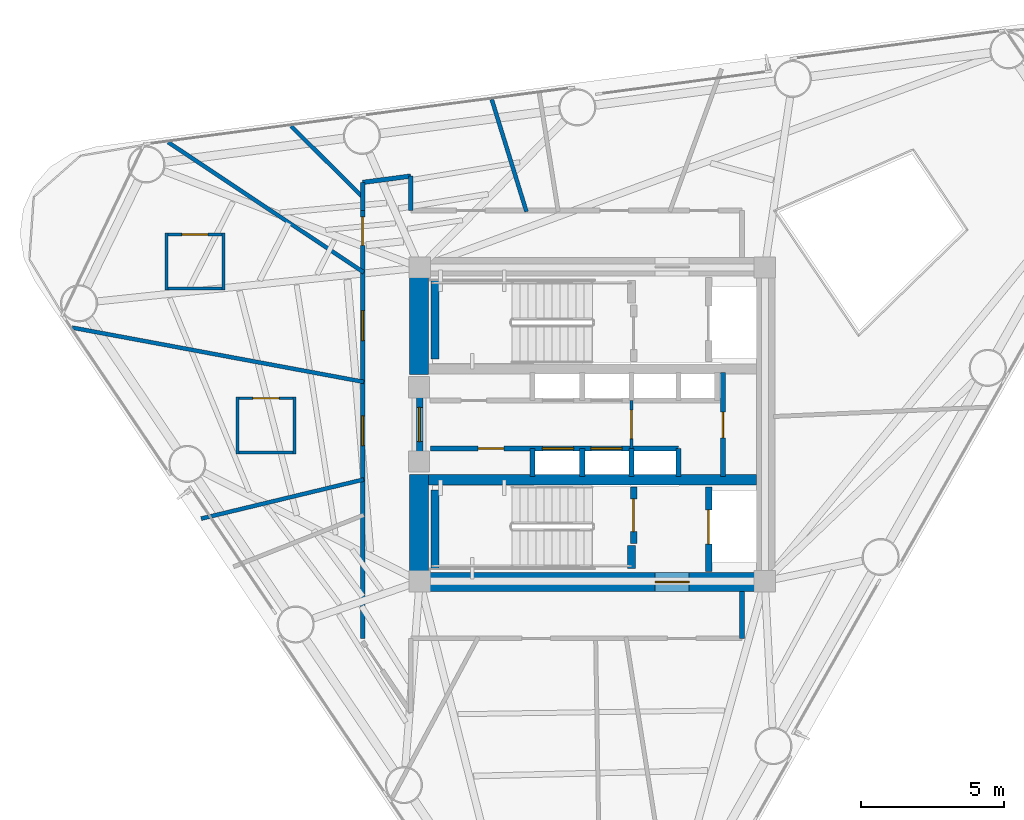
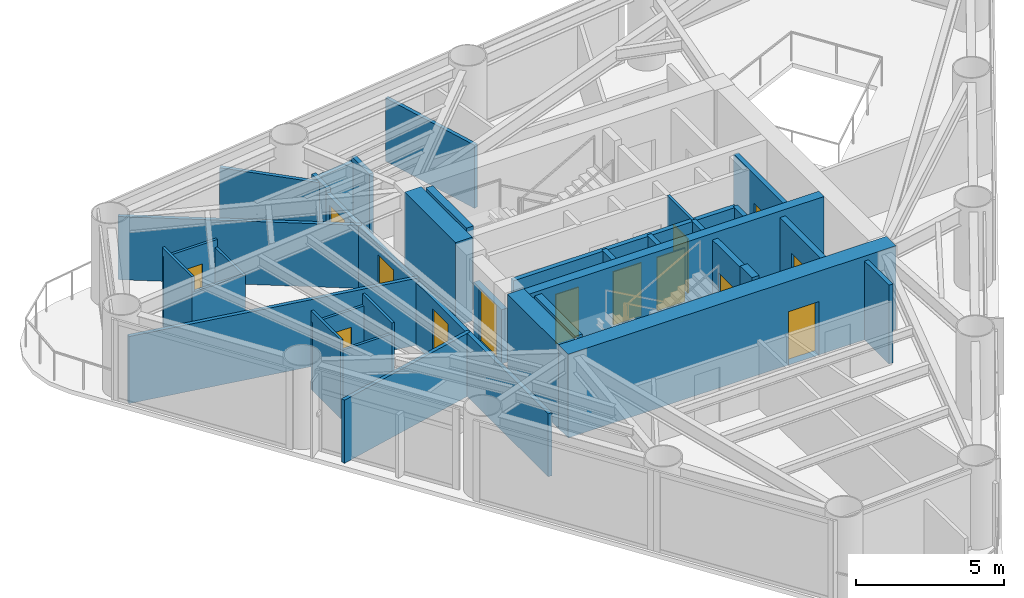
# One storey, part 5 of 9: 35 walls, 14 doors, 14 openings.
"""IFC4 building model written with IfcOpenShell, lengths in metres."""

from ifc_helpers import new_model, si_unit, direction, frame, frame_2d, origin, place, context, subcontext, project, spatial, rectangle, extrude, material, layer, layer_set, type_object, element, fill, save


model = new_model("IFC4")

# Units and contexts
model_context = context("Model", 3, precision=1e-05, world=origin(), true_north=direction((0.0, 1.0)))
body_context = subcontext(model_context, "Body", "Model", "MODEL_VIEW")
ifc_project = project(units=[si_unit("LENGTHUNIT", "METRE"), si_unit("AREAUNIT", "SQUARE_METRE"), si_unit("VOLUMEUNIT", "CUBIC_METRE"), si_unit("PLANEANGLEUNIT", "RADIAN"), si_unit("MASSUNIT", "GRAM", prefix="KILO")], contexts=[model_context])

# Site, building, storey
site_placement = place(None, origin())
site = spatial("IfcSite", under=ifc_project, at=site_placement, CompositionType="ELEMENT")
building_placement = place(site_placement, origin())
building = spatial("IfcBuilding", under=site, at=building_placement, Name="Yunling Apex Tower", CompositionType="ELEMENT")
storey_placement = place(building_placement, frame((0.0, 0.0, 165.64990234375)))
storey = spatial("IfcBuildingStorey", under=building, at=storey_placement, Name="L40", CompositionType="ELEMENT", Elevation=165.64990234375)

# Wall, opening, door
ifc_material_1 = material(Name="Concrete C50", Category="concrete")
ifc_layer_1 = layer(ifc_material_1, 0.64990234375)
ifc_layer_set_1 = layer_set([ifc_layer_1], Name="Concrete C50")
wall_type_1 = type_object("IfcWallType", Name="WL-COR-2", PredefinedType="SHEAR", material=ifc_layer_set_1)
wall_1_placement = place(storey_placement, frame((-6.39990234375, -5.52490234375, 0.0), z_axis=(0.0, 0.0, 1.0), x_axis=(1.0, 0.0, 0.0)))
wall_1 = element("IfcWall", 1, at=wall_1_placement, inside=storey, type_object=wall_type_1, Name="L40 South Core Shear Wall", PredefinedType="SHEAR", context=body_context, shape_type="SweptSolid", body=[
    extrude(rectangle(XDim=12.7998046875, YDim=0.64990234375, at=frame_2d((6.39990234375, 0.0))), origin(), (0.0, 0.0, 1.0), 3.4501953125),
])
opening_1_placement = place(wall_1_placement, frame((8.60009765625, 0.0, 0.0)))
opening_1 = element("IfcOpeningElement", 2, at=opening_1_placement, cuts=wall_1, Name="Opening DR-FFL-1", PredefinedType="OPENING", context=body_context, shape_type="SweptSolid", body=[
    extrude(rectangle(XDim=1.199951171875, YDim=2.199951171875, at=frame_2d((0.60009765625, 1.10009765625))), frame((0.0, 0.3349609375, 0.0), z_axis=(0.0, -1.0, 0.0), x_axis=(1.0, 0.0, 0.0)), (0.0, 0.0, 1.0), 0.669921875),
])
ifc_material_2 = material(Name="Steel Q355B", Category="steel")
door_type_1 = type_object("IfcDoorType", Name="DR-FFL-1", OperationType="NOTDEFINED", PredefinedType="DOOR", material=ifc_material_2)
door_1_placement = place(opening_1_placement, origin())
door_1 = element("IfcDoor", 3, at=door_1_placement, inside=storey, type_object=door_type_1, Name="L40 South Firefighting Lobby Door", OperationType="SINGLE_SWING_RIGHT", OverallHeight=2.199951171875, OverallWidth=1.199951171875, PredefinedType="DOOR", context=body_context, shape_type="SweptSolid", body=[
    extrude(rectangle(XDim=1.199951171875, YDim=2.199951171875, at=frame_2d((0.60009765625, 1.10009765625))), frame((0.0, 0.02490234375, 0.0), z_axis=(0.0, -1.0, 0.0), x_axis=(1.0, 0.0, 0.0)), (0.0, 0.0, 1.0), 0.050048828125),
])
fill(opening_1, door_1)

# Walls
for number, where, z_axis, x_axis, name in (
    (4, (-6.074951171875, -5.199951171875, 0.0), (0.0, 0.0, 1.0), (0.0, 1.0, 0.0), "L40 West-South Core Shear Wall"),
    (5, (-6.074951171875, 1.75, 0.0), (0.0, 0.0, 1.0), (0.0, 1.0, 0.0), "L40 West-North Core Shear Wall"),
):
    element("IfcWall", number, at=place(storey_placement, frame(where, z_axis=z_axis, x_axis=x_axis)), inside=storey, type_object=wall_type_1, Name=name, PredefinedType="SHEAR", context=body_context, shape_type="SweptSolid", body=[
        extrude(rectangle(XDim=3.449951171875, YDim=0.64990234375, at=frame_2d((1.72509765625, 0.0))), origin(), (0.0, 0.0, 1.0), 3.4501953125),
    ])
ifc_material_3 = material(Name="Concrete C40", Category="concrete")
ifc_layer_2 = layer(ifc_material_3, 0.360107421875)
ifc_layer_set_2 = layer_set([ifc_layer_2], Name="Concrete C40")
wall_type_2 = type_object("IfcWallType", Name="WL-COR-4", PredefinedType="SHEAR", material=ifc_layer_set_2)
wall_2_placement = place(storey_placement, frame((-5.75, -1.93994140625, 0.0), z_axis=(0.0, 0.0, 1.0), x_axis=(1.0, 0.0, 0.0)))
element("IfcWall", 6, at=wall_2_placement, inside=storey, type_object=wall_type_2, Name="L40 South Internal Core Shear Wall", PredefinedType="SHEAR", context=body_context, shape_type="SweptSolid", body=[
    extrude(rectangle(XDim=11.5, YDim=0.360107421875, at=frame_2d((5.75, 0.0))), origin(), (0.0, 0.0, 1.0), 3.4501953125),
])
ifc_layer_3 = layer(ifc_material_3, 0.280029296875)
ifc_layer_set_3 = layer_set([ifc_layer_3], Name="Concrete C40")
wall_type_3 = type_object("IfcWallType", Name="WL-COR-8", PredefinedType="SHEAR", material=ifc_layer_set_3)
for number, where, z_axis, x_axis, name in (
    (7, (-5.52001953125, 2.300048828125, 0.0), (0.0, 0.0, 1.0), (0.0, 1.0, 0.0), "L40 ST-1 West Landing Bearing Wall"),
    (8, (-5.52001953125, -5.050048828125, 0.0), (0.0, 0.0, 1.0), (0.0, 1.0, 0.0), "L40 ST-2 West Landing Bearing Wall"),
):
    element("IfcWall", number, at=place(storey_placement, frame(where, z_axis=z_axis, x_axis=x_axis)), inside=storey, type_object=wall_type_3, Name=name, PredefinedType="SHEAR", context=body_context, shape_type="SweptSolid", body=[
        extrude(rectangle(XDim=2.75, YDim=0.280029296875, at=frame_2d((1.375, 0.0))), origin(), (0.0, 0.0, 1.0), 3.4501953125),
    ])
wall_3_placement = place(storey_placement, frame((1.3798828125, -5.050048828125, 0.0), z_axis=(0.0, 0.0, 1.0), x_axis=(0.0, 1.0, 0.0)))
element("IfcWall", 9, at=wall_3_placement, inside=storey, type_object=wall_type_3, Name="L40 ST-2 East Landing Bearing Pier", PredefinedType="SHEAR", context=body_context, shape_type="SweptSolid", body=[
    extrude(rectangle(XDim=0.800048828125, YDim=0.280029296875, at=frame_2d((0.39990234375, 0.0))), origin(), (0.0, 0.0, 1.0), 3.4501953125),
])

# Wall, openings, doors
ifc_material_4 = material(Name="Gypsum board acoustic partition")
ifc_layer_4 = layer(ifc_material_4, 0.159912109375)
ifc_layer_set_4 = layer_set([ifc_layer_4], Name="Gypsum board acoustic partition")
wall_type_4 = type_object("IfcWallType", Name="WL-PRT-1", PredefinedType="PARTITIONING", material=ifc_layer_set_4)
wall_4_placement = place(storey_placement, frame((-8.050048828125, -7.5, 0.0), z_axis=(0.0, 0.0, 1.0), x_axis=(0.0, 1.0, 0.0)))
wall_4 = element("IfcWall", 10, at=wall_4_placement, inside=storey, type_object=wall_type_4, Name="WL-CORR-L40-02", PredefinedType="PARTITIONING", context=body_context, shape_type="SweptSolid", body=[
    extrude(rectangle(XDim=15.0, YDim=0.159912109375, at=frame_2d((7.5, 0.0))), origin(), (0.0, 0.0, 1.0), 2.60498046875),
])
opening_2_placement = place(wall_4_placement, frame((6.7529296875, 0.0, 0.0)))
opening_2 = element("IfcOpeningElement", 11, at=opening_2_placement, cuts=wall_4, Name="Opening DR-FL-1", PredefinedType="OPENING", context=body_context, shape_type="SweptSolid", body=[
    extrude(rectangle(XDim=1.050048828125, YDim=2.199951171875, at=frame_2d((0.52490234375, 1.10009765625))), frame((0.0, 0.08984375, 0.0), z_axis=(0.0, -1.0, 0.0), x_axis=(1.0, 0.0, 0.0)), (0.0, 0.0, 1.0), 0.179931640625),
])
opening_3_placement = place(wall_4_placement, frame((10.436279296875, 0.0, 0.0)))
opening_3 = element("IfcOpeningElement", 12, at=opening_3_placement, cuts=wall_4, Name="Opening DR-FL-1", PredefinedType="OPENING", context=body_context, shape_type="SweptSolid", body=[
    extrude(rectangle(XDim=1.050048828125, YDim=2.199951171875, at=frame_2d((0.52490234375, 1.10009765625))), frame((0.0, 0.08984375, 0.0), z_axis=(0.0, -1.0, 0.0), x_axis=(1.0, 0.0, 0.0)), (0.0, 0.0, 1.0), 0.179931640625),
])
opening_4_placement = place(wall_4_placement, frame((13.780029296875, 0.0, 0.0)))
opening_4 = element("IfcOpeningElement", 13, at=opening_4_placement, cuts=wall_4, Name="Opening DR-OFF-1", PredefinedType="OPENING", context=body_context, shape_type="SweptSolid", body=[
    extrude(rectangle(XDim=1.0, YDim=2.25, at=frame_2d((0.5, 1.125))), frame((0.0, 0.08984375, 0.0), z_axis=(0.0, -1.0, 0.0), x_axis=(1.0, 0.0, 0.0)), (0.0, 0.0, 1.0), 0.179931640625),
])
ifc_material_5 = material(Name="Timber fire-rated leaf", Category="wood")
door_type_2 = type_object("IfcDoorType", Name="DR-FL-1", OperationType="NOTDEFINED", PredefinedType="DOOR", material=ifc_material_5)
door_2_placement = place(opening_2_placement, origin())
door_2 = element("IfcDoor", 14, at=door_2_placement, inside=storey, type_object=door_type_2, Name="L40 Hotel Guest Room Door", OperationType="SINGLE_SWING_LEFT", OverallHeight=2.199951171875, OverallWidth=1.050048828125, PredefinedType="DOOR", context=body_context, shape_type="SweptSolid", body=[
    extrude(rectangle(XDim=1.050048828125, YDim=2.199951171875, at=frame_2d((0.52490234375, 1.10009765625))), frame((0.0, 0.02490234375, 0.0), z_axis=(0.0, -1.0, 0.0), x_axis=(1.0, 0.0, 0.0)), (0.0, 0.0, 1.0), 0.050048828125),
])
fill(opening_2, door_2)
door_3_placement = place(opening_3_placement, origin())
door_3 = element("IfcDoor", 15, at=door_3_placement, inside=storey, type_object=door_type_2, Name="L40 Hotel Suite Door", OperationType="SINGLE_SWING_RIGHT", OverallHeight=2.199951171875, OverallWidth=1.050048828125, PredefinedType="DOOR", context=body_context, shape_type="SweptSolid", body=[
    extrude(rectangle(XDim=1.050048828125, YDim=2.199951171875, at=frame_2d((0.52490234375, 1.10009765625))), frame((0.0, 0.02490234375, 0.0), z_axis=(0.0, -1.0, 0.0), x_axis=(1.0, 0.0, 0.0)), (0.0, 0.0, 1.0), 0.050048828125),
])
fill(opening_3, door_3)
ifc_material_6 = material(Name="Bronze anodised aluminium", Category="aluminium")
door_type_3 = type_object("IfcDoorType", Name="DR-OFF-1", OperationType="NOTDEFINED", PredefinedType="DOOR", material=ifc_material_6)
door_4_placement = place(opening_4_placement, origin())
door_4 = element("IfcDoor", 16, at=door_4_placement, inside=storey, type_object=door_type_3, Name="L40 Club Lounge Door", OperationType="SINGLE_SWING_LEFT", OverallHeight=2.25, OverallWidth=1.0, PredefinedType="DOOR", context=body_context, shape_type="SweptSolid", body=[
    extrude(rectangle(XDim=1.0, YDim=2.25, at=frame_2d((0.5, 1.125))), frame((0.0, 0.02490234375, 0.0), z_axis=(0.0, -1.0, 0.0), x_axis=(1.0, 0.0, 0.0)), (0.0, 0.0, 1.0), 0.050048828125),
])
fill(opening_4, door_4)

# Walls
wall_5_placement = place(storey_placement, frame((-8.050048828125, 7.5, 0.0), z_axis=(0.0, 0.0, 1.0), x_axis=(0.0, 1.0, 0.0)))
element("IfcWall", 17, at=wall_5_placement, inside=storey, type_object=wall_type_4, Name="WL-CORR-L40-03", PredefinedType="PARTITIONING", context=body_context, shape_type="SweptSolid", body=[
    extrude(rectangle(XDim=0.983642578125, YDim=0.159912109375, at=frame_2d((0.49169921875, 0.0))), origin(), (0.0, 0.0, 1.0), 2.80517578125),
])
wall_6_placement = place(storey_placement, frame((-8.050048828125, 8.483642578125, 0.0), z_axis=(0.0, 0.0, 1.0), x_axis=(0.991338869543, 0.131328769629, 0.0)))
element("IfcWall", 18, at=wall_6_placement, inside=storey, type_object=wall_type_4, Name="WL-CORR-L40-04", PredefinedType="PARTITIONING", context=body_context, shape_type="SweptSolid", body=[
    extrude(rectangle(XDim=1.70458984375, YDim=0.159912109375, at=frame_2d((0.852294921875, 0.0))), origin(), (0.0, 0.0, 1.0), 2.60498046875),
])
wall_7_placement = place(storey_placement, frame((-6.360107421875, 8.70751953125, 0.0), z_axis=(0.0, 0.0, 1.0), x_axis=(0.0, -1.0, 0.0)))
element("IfcWall", 19, at=wall_7_placement, inside=storey, type_object=wall_type_4, Name="WL-CORR-L40-05", PredefinedType="PARTITIONING", context=body_context, shape_type="SweptSolid", body=[
    extrude(rectangle(XDim=1.20751953125, YDim=0.159912109375, at=frame_2d((0.603759765625, 0.0))), origin(), (0.0, 0.0, 1.0), 2.80517578125),
])
wall_8_placement = place(storey_placement, frame((5.25, -5.85009765625, 0.0), z_axis=(0.0, 0.0, 1.0), x_axis=(0.0, -1.0, 0.0)))
element("IfcWall", 20, at=wall_8_placement, inside=storey, type_object=wall_type_4, Name="WL-CORR-L40-08", PredefinedType="PARTITIONING", context=body_context, shape_type="SweptSolid", body=[
    extrude(rectangle(XDim=1.64990234375, YDim=0.159912109375, at=frame_2d((0.824951171875, 0.0))), origin(), (0.0, 0.0, 1.0), 3.25),
])
ifc_layer_5 = layer(ifc_material_4, 0.139892578125)
ifc_layer_set_5 = layer_set([ifc_layer_5], Name="Gypsum board acoustic partition")
wall_type_5 = type_object("IfcWallType", Name="WL-PRT-2", PredefinedType="PARTITIONING", material=ifc_layer_set_5)
wall_9_placement = place(storey_placement, frame((-2.306640625, 7.4599609375, 0.0), z_axis=(0.0, 0.0, 1.0), x_axis=(-0.295406664686, 0.955371604382, 0.0)))
element("IfcWall", 21, at=wall_9_placement, inside=storey, type_object=wall_type_5, Name="WL-RAD-L40-04", PredefinedType="PARTITIONING", context=body_context, shape_type="SweptSolid", body=[
    extrude(rectangle(XDim=4.11669921875, YDim=0.139892578125, at=frame_2d((2.058349609375, 0.0))), origin(), (0.0, 0.0, 1.0), 2.60498046875),
])
wall_10_placement = place(storey_placement, frame((-8.010009765625, 7.93408203125, 0.0), z_axis=(0.0, 0.0, 1.0), x_axis=(-0.710464129117, 0.703733416315, 0.0)))
element("IfcWall", 22, at=wall_10_placement, inside=storey, type_object=wall_type_5, Name="WL-RAD-L40-05", PredefinedType="PARTITIONING", context=body_context, shape_type="SweptSolid", body=[
    extrude(rectangle(XDim=3.591064453125, YDim=0.139892578125, at=frame_2d((1.79541015625, 0.0))), origin(), (0.0, 0.0, 1.0), 2.76513671875),
])
wall_11_placement = place(storey_placement, frame((-8.010009765625, 5.3291015625, 0.0), z_axis=(0.0, 0.0, 1.0), x_axis=(-0.832565256492, 0.553926975044, 0.0)))
element("IfcWall", 23, at=wall_11_placement, inside=storey, type_object=wall_type_5, Name="WL-RAD-L40-06", PredefinedType="PARTITIONING", context=body_context, shape_type="SweptSolid", body=[
    extrude(rectangle(XDim=8.236083984375, YDim=0.139892578125, at=frame_2d((4.1181640625, 0.0))), origin(), (0.0, 0.0, 1.0), 2.60498046875),
])
wall_12_placement = place(storey_placement, frame((-8.010009765625, 1.4912109375, 0.0), z_axis=(0.0, 0.0, 1.0), x_axis=(-0.983113838534, 0.182995028575, 0.0)))
element("IfcWall", 24, at=wall_12_placement, inside=storey, type_object=wall_type_5, Name="WL-RAD-L40-07", PredefinedType="PARTITIONING", context=body_context, shape_type="SweptSolid", body=[
    extrude(rectangle(XDim=10.394287109375, YDim=0.139892578125, at=frame_2d((5.197265625, 0.0))), origin(), (0.0, 0.0, 1.0), 2.76513671875),
])
wall_13_placement = place(storey_placement, frame((-8.010009765625, -1.9296875, 0.0), z_axis=(0.0, 0.0, 1.0), x_axis=(-0.972178712373, -0.23424037058, 0.0)))
element("IfcWall", 25, at=wall_13_placement, inside=storey, type_object=wall_type_5, Name="WL-RAD-L40-08", PredefinedType="PARTITIONING", context=body_context, shape_type="SweptSolid", body=[
    extrude(rectangle(XDim=5.86474609375, YDim=0.139892578125, at=frame_2d((2.932373046875, 0.0))), origin(), (0.0, 0.0, 1.0), 2.60498046875),
])

# Wall, opening, door
ifc_layer_6 = layer(ifc_material_4, 0.10009765625)
ifc_layer_set_6 = layer_set([ifc_layer_6], Name="Gypsum board acoustic partition")
wall_type_6 = type_object("IfcWallType", Name="WL-PRT-4", PredefinedType="PARTITIONING", material=ifc_layer_set_6)
wall_14_placement = place(storey_placement, frame((1.3798828125, -0.840087890625, 0.0), z_axis=(0.0, 0.0, 1.0), x_axis=(0.0, 1.0, 0.0)))
wall_14 = element("IfcWall", 26, at=wall_14_placement, inside=storey, type_object=wall_type_6, Name="WL-LOB-MID-L40", PredefinedType="PARTITIONING", context=body_context, shape_type="SweptSolid", body=[
    extrude(rectangle(XDim=1.68017578125, YDim=0.10009765625, at=frame_2d((0.840087890625, 0.0))), origin(), (0.0, 0.0, 1.0), 3.25),
])
opening_5_placement = place(wall_14_placement, frame((0.340087890625, 0.0, 0.0)))
opening_5 = element("IfcOpeningElement", 27, at=opening_5_placement, cuts=wall_14, Name="Opening DR-OFF-1", PredefinedType="OPENING", context=body_context, shape_type="SweptSolid", body=[
    extrude(rectangle(XDim=1.0, YDim=2.25, at=frame_2d((0.5, 1.125))), frame((0.0, 0.06005859375, 0.0), z_axis=(0.0, -1.0, 0.0), x_axis=(1.0, 0.0, 0.0)), (0.0, 0.0, 1.0), 0.1201171875),
])
door_5_placement = place(opening_5_placement, origin())
door_5 = element("IfcDoor", 28, at=door_5_placement, inside=storey, type_object=door_type_3, Name="L40 Core Lobby Link Door", OperationType="SINGLE_SWING_RIGHT", OverallHeight=2.25, OverallWidth=1.0, PredefinedType="DOOR", context=body_context, shape_type="SweptSolid", body=[
    extrude(rectangle(XDim=1.0, YDim=2.25, at=frame_2d((0.5, 1.125))), frame((0.0, 0.02490234375, 0.0), z_axis=(0.0, -1.0, 0.0), x_axis=(1.0, 0.0, 0.0)), (0.0, 0.0, 1.0), 0.050048828125),
])
fill(opening_5, door_5)

wall_15_placement = place(storey_placement, frame((-14.98193359375, 6.6640625, 0.0), z_axis=(0.0, 0.0, 1.0), x_axis=(1.0, 0.0, 0.0)))
wall_15 = element("IfcWall", 29, at=wall_15_placement, inside=storey, type_object=wall_type_6, Name="WL-ENS-L40-11N", PredefinedType="PARTITIONING", context=body_context, shape_type="SweptSolid", body=[
    extrude(rectangle(XDim=2.099853515625, YDim=0.10009765625, at=frame_2d((1.0498046875, 0.0))), origin(), (0.0, 0.0, 1.0), 2.905029296875),
])
opening_6_placement = place(wall_15_placement, frame((0.590087890625, 0.0, 0.0)))
opening_6 = element("IfcOpeningElement", 30, at=opening_6_placement, cuts=wall_15, Name="Opening DR-WC-1", PredefinedType="OPENING", context=body_context, shape_type="SweptSolid", body=[
    extrude(rectangle(XDim=0.919921875, YDim=2.10009765625, at=frame_2d((0.4599609375, 1.050048828125))), frame((0.0, 0.06005859375, 0.0), z_axis=(0.0, -1.0, 0.0), x_axis=(1.0, 0.0, 0.0)), (0.0, 0.0, 1.0), 0.1201171875),
])
ifc_material_7 = material(Name="Timber moisture-resistant leaf", Category="wood")
door_type_4 = type_object("IfcDoorType", Name="DR-WC-1", OperationType="NOTDEFINED", PredefinedType="DOOR", material=ifc_material_7)
door_6_placement = place(opening_6_placement, origin())
door_6 = element("IfcDoor", 31, at=door_6_placement, inside=storey, type_object=door_type_4, Name="L40 En-Suite Door", OperationType="SINGLE_SWING_RIGHT", OverallHeight=2.10009765625, OverallWidth=0.919921875, PredefinedType="DOOR", context=body_context, shape_type="SweptSolid", body=[
    extrude(rectangle(XDim=0.919921875, YDim=2.10009765625, at=frame_2d((0.4599609375, 1.050048828125))), frame((0.0, 0.02490234375, 0.0), z_axis=(0.0, -1.0, 0.0), x_axis=(1.0, 0.0, 0.0)), (0.0, 0.0, 1.0), 0.050048828125),
])
fill(opening_6, door_6)

# Walls
wall_16_placement = place(storey_placement, frame((-12.882080078125, 4.763916015625, 0.0), z_axis=(0.0, 0.0, 1.0), x_axis=(-1.0, 0.0, 0.0)))
element("IfcWall", 32, at=wall_16_placement, inside=storey, type_object=wall_type_6, Name="WL-ENS-L40-11S", PredefinedType="PARTITIONING", context=body_context, shape_type="SweptSolid", body=[
    extrude(rectangle(XDim=2.099853515625, YDim=0.10009765625, at=frame_2d((1.0498046875, 0.0))), origin(), (0.0, 0.0, 1.0), 2.60498046875),
])
wall_17_placement = place(storey_placement, frame((-12.931884765625, 6.714111328125, 0.0), z_axis=(0.0, 0.0, 1.0), x_axis=(0.0, -1.0, 0.0)))
element("IfcWall", 33, at=wall_17_placement, inside=storey, type_object=wall_type_6, Name="WL-ENS-L40-11E", PredefinedType="PARTITIONING", context=body_context, shape_type="SweptSolid", body=[
    extrude(rectangle(XDim=2.0, YDim=0.10009765625, at=frame_2d((1.0, 0.0))), origin(), (0.0, 0.0, 1.0), 2.60498046875),
])
wall_18_placement = place(storey_placement, frame((-14.931884765625, 4.714111328125, 0.0), z_axis=(0.0, 0.0, 1.0), x_axis=(0.0, 1.0, 0.0)))
element("IfcWall", 34, at=wall_18_placement, inside=storey, type_object=wall_type_6, Name="WL-ENS-L40-11W", PredefinedType="PARTITIONING", context=body_context, shape_type="SweptSolid", body=[
    extrude(rectangle(XDim=2.0, YDim=0.10009765625, at=frame_2d((1.0, 0.0))), origin(), (0.0, 0.0, 1.0), 3.25),
])

# Wall, opening, door
wall_19_placement = place(storey_placement, frame((-12.491943359375, 0.91796875, 0.0), z_axis=(0.0, 0.0, 1.0), x_axis=(1.0, 0.0, 0.0)))
wall_19 = element("IfcWall", 35, at=wall_19_placement, inside=storey, type_object=wall_type_6, Name="WL-ENS-L40-12N", PredefinedType="PARTITIONING", context=body_context, shape_type="SweptSolid", body=[
    extrude(rectangle(XDim=2.099853515625, YDim=0.10009765625, at=frame_2d((1.0498046875, 0.0))), origin(), (0.0, 0.0, 1.0), 2.80517578125),
])
opening_7_placement = place(wall_19_placement, frame((0.590087890625, 0.0, 0.0)))
opening_7 = element("IfcOpeningElement", 36, at=opening_7_placement, cuts=wall_19, Name="Opening DR-WC-1", PredefinedType="OPENING", context=body_context, shape_type="SweptSolid", body=[
    extrude(rectangle(XDim=0.919921875, YDim=2.10009765625, at=frame_2d((0.4599609375, 1.050048828125))), frame((0.0, 0.06005859375, 0.0), z_axis=(0.0, -1.0, 0.0), x_axis=(1.0, 0.0, 0.0)), (0.0, 0.0, 1.0), 0.1201171875),
])
door_7_placement = place(opening_7_placement, origin())
door_7 = element("IfcDoor", 37, at=door_7_placement, inside=storey, type_object=door_type_4, Name="L40 En-Suite Door", OperationType="SINGLE_SWING_LEFT", OverallHeight=2.10009765625, OverallWidth=0.919921875, PredefinedType="DOOR", context=body_context, shape_type="SweptSolid", body=[
    extrude(rectangle(XDim=0.919921875, YDim=2.10009765625, at=frame_2d((0.4599609375, 1.050048828125))), frame((0.0, 0.02490234375, 0.0), z_axis=(0.0, -1.0, 0.0), x_axis=(1.0, 0.0, 0.0)), (0.0, 0.0, 1.0), 0.050048828125),
])
fill(opening_7, door_7)

# Walls
wall_20_placement = place(storey_placement, frame((-10.39208984375, -0.98193359375, 0.0), z_axis=(0.0, 0.0, 1.0), x_axis=(-1.0, 0.0, 0.0)))
element("IfcWall", 38, at=wall_20_placement, inside=storey, type_object=wall_type_6, Name="WL-ENS-L40-12S", PredefinedType="PARTITIONING", context=body_context, shape_type="SweptSolid", body=[
    extrude(rectangle(XDim=2.099853515625, YDim=0.10009765625, at=frame_2d((1.0498046875, 0.0))), origin(), (0.0, 0.0, 1.0), 2.80517578125),
])
for number, where, z_axis, x_axis, name in (
    (39, (-10.44189453125, 0.968017578125, 0.0), (0.0, 0.0, 1.0), (0.0, -1.0, 0.0), "WL-ENS-L40-12E"),
    (40, (-12.44189453125, -1.031982421875, 0.0), (0.0, 0.0, 1.0), (0.0, 1.0, 0.0), "WL-ENS-L40-12W"),
):
    element("IfcWall", number, at=place(storey_placement, frame(where, z_axis=z_axis, x_axis=x_axis)), inside=storey, type_object=wall_type_6, Name=name, PredefinedType="PARTITIONING", context=body_context, shape_type="SweptSolid", body=[
        extrude(rectangle(XDim=2.0, YDim=0.10009765625, at=frame_2d((1.0, 0.0))), origin(), (0.0, 0.0, 1.0), 3.25),
    ])

# Wall, opening, door
ifc_material_8 = material(Name="Autoclaved aerated concrete masonry", Category="masonry")
ifc_layer_7 = layer(ifc_material_8, 0.219970703125)
ifc_layer_set_7 = layer_set([ifc_layer_7], Name="Autoclaved aerated concrete masonry")
wall_type_7 = type_object("IfcWallType", Name="WL-SHF-1", PredefinedType="PLUMBINGWALL", material=ifc_layer_set_7)
wall_21_placement = place(storey_placement, frame((-6.050048828125, -0.949951171875, 0.0), z_axis=(0.0, 0.0, 1.0), x_axis=(0.0, 1.0, 0.0)))
wall_21 = element("IfcWall", 41, at=wall_21_placement, inside=storey, type_object=wall_type_7, Name="WL-COR-WPORT-L40", PredefinedType="PLUMBINGWALL", context=body_context, shape_type="SweptSolid", body=[
    extrude(rectangle(XDim=1.89990234375, YDim=0.219970703125, at=frame_2d((0.949951171875, 0.0))), origin(), (0.0, 0.0, 1.0), 2.22998046875),
])
opening_8_placement = place(wall_21_placement, frame((0.35009765625, 0.0, 0.0)))
opening_8 = element("IfcOpeningElement", 42, at=opening_8_placement, cuts=wall_21, Name="Opening DR-FFL-1", PredefinedType="OPENING", context=body_context, shape_type="SweptSolid", body=[
    extrude(rectangle(XDim=1.199951171875, YDim=2.199951171875, at=frame_2d((0.60009765625, 1.10009765625))), frame((0.0, 0.1201171875, 0.0), z_axis=(0.0, -1.0, 0.0), x_axis=(1.0, 0.0, 0.0)), (0.0, 0.0, 1.0), 0.239990234375),
])
door_8_placement = place(opening_8_placement, origin())
door_8 = element("IfcDoor", 43, at=door_8_placement, inside=storey, type_object=door_type_1, Name="L40 Passenger Lift Lobby Entrance Door", OperationType="SINGLE_SWING_RIGHT", OverallHeight=2.199951171875, OverallWidth=1.199951171875, PredefinedType="DOOR", context=body_context, shape_type="SweptSolid", body=[
    extrude(rectangle(XDim=1.199951171875, YDim=2.199951171875, at=frame_2d((0.60009765625, 1.10009765625))), frame((0.0, 0.02490234375, 0.0), z_axis=(0.0, -1.0, 0.0), x_axis=(1.0, 0.0, 0.0)), (0.0, 0.0, 1.0), 0.050048828125),
])
fill(opening_8, door_8)

wall_22_placement = place(storey_placement, frame((1.449951171875, -4.179931640625, 0.0), z_axis=(0.0, 0.0, 1.0), x_axis=(0.0, 1.0, 0.0)))
wall_22 = element("IfcWall", 44, at=wall_22_placement, inside=storey, type_object=wall_type_7, Name="WL-ST2-E-L40", PredefinedType="PLUMBINGWALL", context=body_context, shape_type="SweptSolid", body=[
    extrude(rectangle(XDim=1.97998046875, YDim=0.219970703125, at=frame_2d((0.989990234375, 0.0))), origin(), (0.0, 0.0, 1.0), 3.25),
])
opening_9_placement = place(wall_22_placement, frame((0.419921875, 0.0, 0.0)))
opening_9 = element("IfcOpeningElement", 45, at=opening_9_placement, cuts=wall_22, Name="Opening DR-ST-1", PredefinedType="OPENING", context=body_context, shape_type="SweptSolid", body=[
    extrude(rectangle(XDim=1.14990234375, YDim=2.14990234375, at=frame_2d((0.574951171875, 1.074951171875))), frame((0.0, 0.1201171875, 0.0), z_axis=(0.0, -1.0, 0.0), x_axis=(1.0, 0.0, 0.0)), (0.0, 0.0, 1.0), 0.239990234375),
])
door_type_5 = type_object("IfcDoorType", Name="DR-ST-1", OperationType="NOTDEFINED", PredefinedType="DOOR", material=ifc_material_2)
door_9_placement = place(opening_9_placement, origin())
door_9 = element("IfcDoor", 46, at=door_9_placement, inside=storey, type_object=door_type_5, Name="L40 Stair ST-2 Fire Door", OperationType="SINGLE_SWING_LEFT", OverallHeight=2.14990234375, OverallWidth=1.14990234375, PredefinedType="DOOR", context=body_context, shape_type="SweptSolid", body=[
    extrude(rectangle(XDim=1.14990234375, YDim=2.14990234375, at=frame_2d((0.574951171875, 1.074951171875))), frame((0.0, 0.02490234375, 0.0), z_axis=(0.0, -1.0, 0.0), x_axis=(1.0, 0.0, 0.0)), (0.0, 0.0, 1.0), 0.050048828125),
])
fill(opening_9, door_9)

wall_23_placement = place(storey_placement, frame((4.080078125, -5.14990234375, 0.0), z_axis=(0.0, 0.0, 1.0), x_axis=(0.0, 1.0, 0.0)))
wall_23 = element("IfcWall", 47, at=wall_23_placement, inside=storey, type_object=wall_type_7, Name="WL-FFL2-W-L40", PredefinedType="PLUMBINGWALL", context=body_context, shape_type="SweptSolid", body=[
    extrude(rectangle(XDim=2.949951171875, YDim=0.219970703125, at=frame_2d((1.47509765625, 0.0))), origin(), (0.0, 0.0, 1.0), 3.25),
])
opening_10_placement = place(wall_23_placement, frame((0.949951171875, 0.0, 0.0)))
opening_10 = element("IfcOpeningElement", 48, at=opening_10_placement, cuts=wall_23, Name="Opening LD-FFL-1", PredefinedType="OPENING", context=body_context, shape_type="SweptSolid", body=[
    extrude(rectangle(XDim=1.199951171875, YDim=2.25, at=frame_2d((0.60009765625, 1.125))), frame((0.0, 0.1201171875, 0.0), z_axis=(0.0, -1.0, 0.0), x_axis=(1.0, 0.0, 0.0)), (0.0, 0.0, 1.0), 0.239990234375),
])
door_type_6 = type_object("IfcDoorType", Name="LD-FFL-1", OperationType="DOUBLE_DOOR_SLIDING", PredefinedType="DOOR", material=ifc_material_2)
door_10_placement = place(opening_10_placement, origin())
door_10 = element("IfcDoor", 49, at=door_10_placement, inside=storey, type_object=door_type_6, Name="L40 Lift FFL-2 Landing Door", OperationType="DOUBLE_DOOR_SLIDING", OverallHeight=2.25, OverallWidth=1.199951171875, PredefinedType="DOOR", context=body_context, shape_type="SweptSolid", body=[
    extrude(rectangle(XDim=1.199951171875, YDim=2.25, at=frame_2d((0.60009765625, 1.125))), frame((0.0, 0.02490234375, 0.0), z_axis=(0.0, -1.0, 0.0), x_axis=(1.0, 0.0, 0.0)), (0.0, 0.0, 1.0), 0.050048828125),
])
fill(opening_10, door_10)

# Walls
ifc_layer_8 = layer(ifc_material_8, 0.179931640625)
ifc_layer_set_8 = layer_set([ifc_layer_8], Name="Autoclaved aerated concrete masonry")
wall_type_8 = type_object("IfcWallType", Name="WL-SHF-2", PredefinedType="PLUMBINGWALL", material=ifc_layer_set_8)
for number, where, z_axis, x_axis, name in (
    (50, (-2.10009765625, -1.820068359375, 0.0), (0.0, 0.0, 1.0), (0.0, 1.0, 0.0), "WL-BNK-LM-S-L40"),
    (51, (-0.35009765625, -1.820068359375, 0.0), (0.0, 0.0, 1.0), (0.0, 1.0, 0.0), "WL-DIV-M34-L40"),
    (52, (1.3798828125, -1.820068359375, 0.0), (0.0, 0.0, 1.0), (0.0, 1.0, 0.0), "WL-BNK-MH-S-L40"),
    (53, (3.02001953125, -1.820068359375, 0.0), (0.0, 0.0, 1.0), (0.0, 1.0, 0.0), "WL-END-H2E-L40"),
):
    element("IfcWall", number, at=place(storey_placement, frame(where, z_axis=z_axis, x_axis=x_axis)), inside=storey, type_object=wall_type_8, Name=name, PredefinedType="PLUMBINGWALL", context=body_context, shape_type="SweptSolid", body=[
        extrude(rectangle(XDim=0.97998046875, YDim=0.179931640625, at=frame_2d((0.489990234375, 0.0))), origin(), (0.0, 0.0, 1.0), 3.25),
    ])

# Wall, opening, door
wall_24_placement = place(storey_placement, frame((4.580078125, -1.820068359375, 0.0), z_axis=(0.0, 0.0, 1.0), x_axis=(0.0, 1.0, 0.0)))
wall_24 = element("IfcWall", 54, at=wall_24_placement, inside=storey, type_object=wall_type_8, Name="WL-KBE-W-L40", PredefinedType="PLUMBINGWALL", context=body_context, shape_type="SweptSolid", body=[
    extrude(rectangle(XDim=3.64013671875, YDim=0.179931640625, at=frame_2d((1.820068359375, 0.0))), origin(), (0.0, 0.0, 1.0), 3.25),
])
opening_11_placement = place(wall_24_placement, frame((1.35009765625, 0.0, 0.0)))
opening_11 = element("IfcOpeningElement", 55, at=opening_11_placement, cuts=wall_24, Name="Opening DR-SHF-1", PredefinedType="OPENING", context=body_context, shape_type="SweptSolid", body=[
    extrude(rectangle(XDim=0.89990234375, YDim=2.050048828125, at=frame_2d((0.449951171875, 1.02490234375))), frame((0.0, 0.10009765625, 0.0), z_axis=(0.0, -1.0, 0.0), x_axis=(1.0, 0.0, 0.0)), (0.0, 0.0, 1.0), 0.199951171875),
])
door_type_7 = type_object("IfcDoorType", Name="DR-SHF-1", OperationType="NOTDEFINED", PredefinedType="DOOR", material=ifc_material_2)
door_11_placement = place(opening_11_placement, origin())
door_11 = element("IfcDoor", 56, at=door_11_placement, inside=storey, type_object=door_type_7, Name="L40 Core Meter Room Door", OperationType="SINGLE_SWING_LEFT", OverallHeight=2.050048828125, OverallWidth=0.89990234375, PredefinedType="DOOR", context=body_context, shape_type="SweptSolid", body=[
    extrude(rectangle(XDim=0.89990234375, YDim=2.050048828125, at=frame_2d((0.449951171875, 1.02490234375))), frame((0.0, 0.02490234375, 0.0), z_axis=(0.0, -1.0, 0.0), x_axis=(1.0, 0.0, 0.0)), (0.0, 0.0, 1.0), 0.050048828125),
])
fill(opening_11, door_11)

# Wall, openings, doors
wall_25_placement = place(storey_placement, frame((-5.679931640625, -0.840087890625, 0.0), z_axis=(0.0, 0.0, 1.0), x_axis=(1.0, 0.0, 0.0)))
wall_25 = element("IfcWall", 57, at=wall_25_placement, inside=storey, type_object=wall_type_8, Name="WL-LOB-S-L40", PredefinedType="PLUMBINGWALL", context=body_context, shape_type="SweptSolid", body=[
    extrude(rectangle(XDim=8.699951171875, YDim=0.179931640625, at=frame_2d((4.35009765625, 0.0))), origin(), (0.0, 0.0, 1.0), 3.25),
])
opening_12_placement = place(wall_25_placement, frame((1.679931640625, 0.0, 0.0)))
opening_12 = element("IfcOpeningElement", 58, at=opening_12_placement, cuts=wall_25, Name="Opening DR-SHF-1", PredefinedType="OPENING", context=body_context, shape_type="SweptSolid", body=[
    extrude(rectangle(XDim=0.89990234375, YDim=2.050048828125, at=frame_2d((0.449951171875, 1.02490234375))), frame((0.0, 0.10009765625, 0.0), z_axis=(0.0, -1.0, 0.0), x_axis=(1.0, 0.0, 0.0)), (0.0, 0.0, 1.0), 0.199951171875),
])
opening_13_placement = place(wall_25_placement, frame((3.929931640625, 0.0, 0.0)))
opening_13 = element("IfcOpeningElement", 59, at=opening_13_placement, cuts=wall_25, Name="Opening LD-PAS-1", PredefinedType="OPENING", context=body_context, shape_type="SweptSolid", body=[
    extrude(rectangle(XDim=1.10009765625, YDim=2.199951171875, at=frame_2d((0.550048828125, 1.10009765625))), frame((0.0, 0.10009765625, 0.0), z_axis=(0.0, -1.0, 0.0), x_axis=(1.0, 0.0, 0.0)), (0.0, 0.0, 1.0), 0.199951171875),
])
opening_14_placement = place(wall_25_placement, frame((5.6298828125, 0.0, 0.0)))
opening_14 = element("IfcOpeningElement", 60, at=opening_14_placement, cuts=wall_25, Name="Opening LD-PAS-1", PredefinedType="OPENING", context=body_context, shape_type="SweptSolid", body=[
    extrude(rectangle(XDim=1.10009765625, YDim=2.199951171875, at=frame_2d((0.550048828125, 1.10009765625))), frame((0.0, 0.10009765625, 0.0), z_axis=(0.0, -1.0, 0.0), x_axis=(1.0, 0.0, 0.0)), (0.0, 0.0, 1.0), 0.199951171875),
])
door_12_placement = place(opening_12_placement, origin())
door_12 = element("IfcDoor", 61, at=door_12_placement, inside=storey, type_object=door_type_7, Name="L40 Supply Store Door", OperationType="SINGLE_SWING_LEFT", OverallHeight=2.050048828125, OverallWidth=0.89990234375, PredefinedType="DOOR", context=body_context, shape_type="SweptSolid", body=[
    extrude(rectangle(XDim=0.89990234375, YDim=2.050048828125, at=frame_2d((0.449951171875, 1.02490234375))), frame((0.0, 0.02490234375, 0.0), z_axis=(0.0, -1.0, 0.0), x_axis=(1.0, 0.0, 0.0)), (0.0, 0.0, 1.0), 0.050048828125),
])
fill(opening_12, door_12)
ifc_material_9 = material(Name="Silver anodised aluminium", Category="aluminium")
door_type_8 = type_object("IfcDoorType", Name="LD-PAS-1", OperationType="DOUBLE_DOOR_SLIDING", PredefinedType="DOOR", material=ifc_material_9)
door_13_placement = place(opening_13_placement, origin())
door_13 = element("IfcDoor", 62, at=door_13_placement, inside=storey, type_object=door_type_8, Name="L40 Lift PL-M3 Landing Door", OperationType="DOUBLE_DOOR_SLIDING", OverallHeight=2.199951171875, OverallWidth=1.10009765625, PredefinedType="DOOR", context=body_context, shape_type="SweptSolid", body=[
    extrude(rectangle(XDim=1.10009765625, YDim=2.199951171875, at=frame_2d((0.550048828125, 1.10009765625))), frame((0.0, 0.02490234375, 0.0), z_axis=(0.0, -1.0, 0.0), x_axis=(1.0, 0.0, 0.0)), (0.0, 0.0, 1.0), 0.050048828125),
])
fill(opening_13, door_13)
door_14_placement = place(opening_14_placement, origin())
door_14 = element("IfcDoor", 63, at=door_14_placement, inside=storey, type_object=door_type_8, Name="L40 Lift PL-M4 Landing Door", OperationType="DOUBLE_DOOR_SLIDING", OverallHeight=2.199951171875, OverallWidth=1.10009765625, PredefinedType="DOOR", context=body_context, shape_type="SweptSolid", body=[
    extrude(rectangle(XDim=1.10009765625, YDim=2.199951171875, at=frame_2d((0.550048828125, 1.10009765625))), frame((0.0, 0.02490234375, 0.0), z_axis=(0.0, -1.0, 0.0), x_axis=(1.0, 0.0, 0.0)), (0.0, 0.0, 1.0), 0.050048828125),
])
fill(opening_14, door_14)

save(model, "model.ifc")
